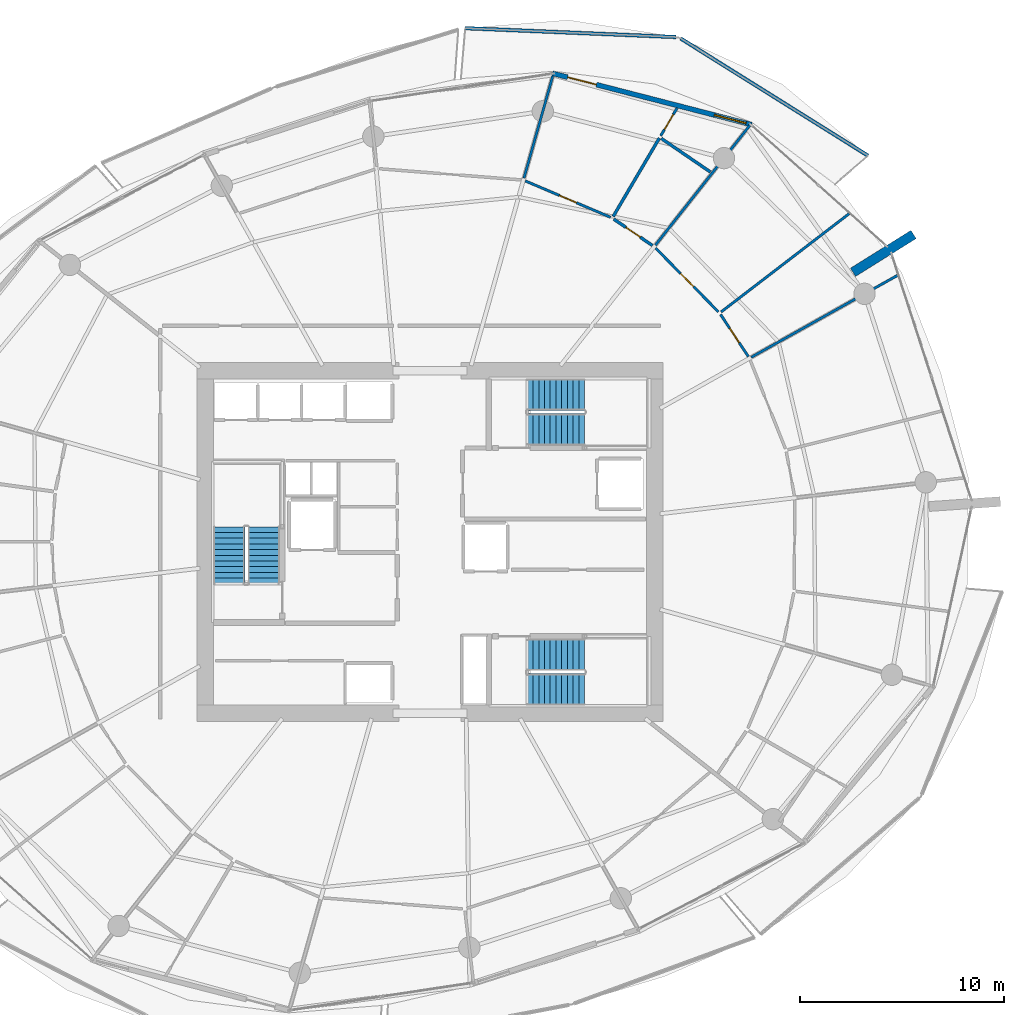
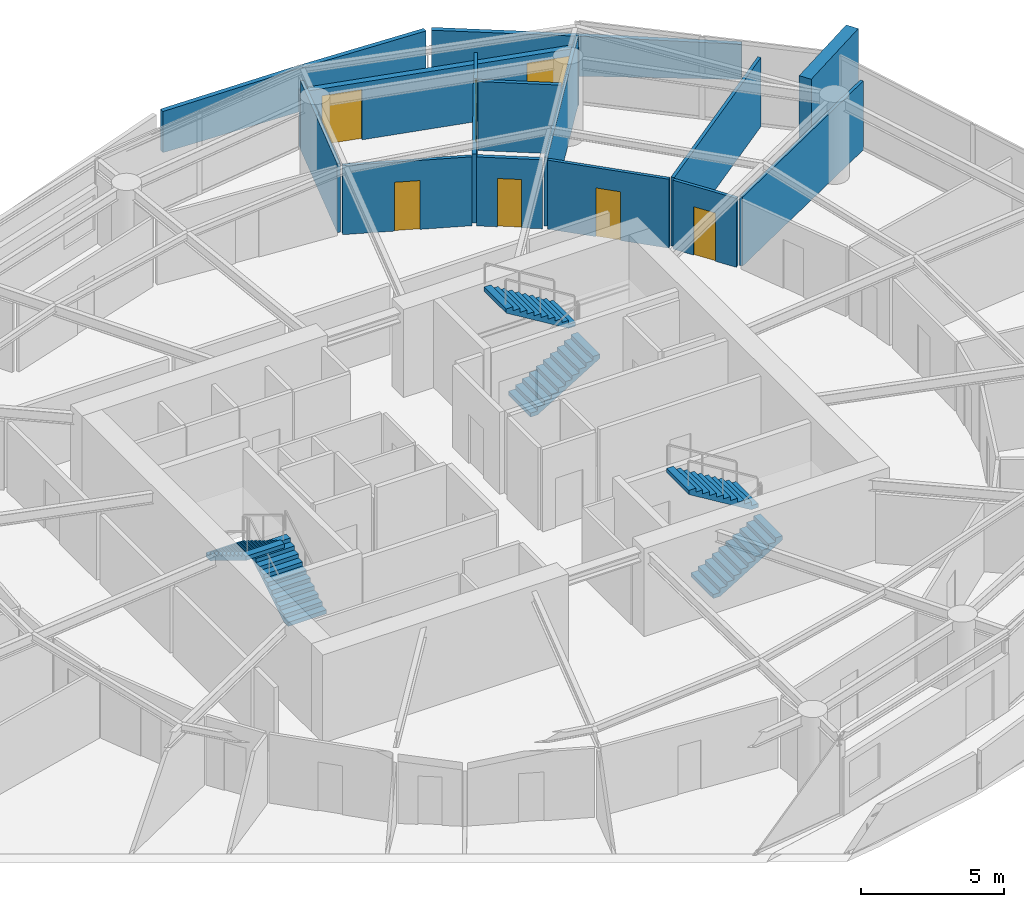
# One storey, part 15 of 20: 15 walls, 6 doors, 6 stair flights, 1 window, 7 openings, 3 elements without a shape of their own.
"""IFC4 building model written with IfcOpenShell, lengths in metres."""

from ifc_helpers import new_model, si_unit, direction, frame, frame_2d, origin, place, context, subcontext, project, spatial, polyline, rectangle, outline, extrude, material, layer, layer_set, type_object, element, fill, aggregate, save


model = new_model("IFC4")

# Units and contexts
model_context = context("Model", 3, precision=1e-05, world=origin(), true_north=direction((0.0, 1.0)))
body_context = subcontext(model_context, "Body", "Model", "MODEL_VIEW")
ifc_project = project(units=[si_unit("LENGTHUNIT", "METRE"), si_unit("AREAUNIT", "SQUARE_METRE"), si_unit("VOLUMEUNIT", "CUBIC_METRE"), si_unit("PLANEANGLEUNIT", "RADIAN"), si_unit("MASSUNIT", "GRAM", prefix="KILO")], contexts=[model_context])

# Site, building, storey
site_placement = place(None, origin())
site = spatial("IfcSite", under=ifc_project, at=site_placement, CompositionType="ELEMENT")
building_placement = place(site_placement, origin())
building = spatial("IfcBuilding", under=site, at=building_placement, Name="Kazma Halo Residences", CompositionType="ELEMENT")
storey_placement = place(building_placement, frame((0.0, 0.0, 131.550048828125)))
storey = spatial("IfcBuildingStorey", under=building, at=storey_placement, Name="L32", CompositionType="ELEMENT", Elevation=131.550048828125)

# Walls
ifc_material_1 = material(Name="White Concrete C50/60 Balustrade", Category="concrete")
ifc_layer_1 = layer(ifc_material_1, 0.179931640625)
ifc_layer_set_1 = layer_set([ifc_layer_1], Name="White Concrete C50/60 Balustrade")
wall_type_1 = type_object("IfcWallType", Name="WL-BAL-WAVE-180", PredefinedType="PARAPET", material=ifc_layer_set_1)
wall_1_placement = place(storey_placement, frame((69.904052734375, 60.9404296875, 0.0), z_axis=(0.0, 0.0, 1.0), x_axis=(-0.847688171498, 0.53049482929, 0.0)))
element("IfcWall", 1, at=wall_1_placement, inside=storey, type_object=wall_type_1, Name="L32 white wave balustrade wall NE.1", PredefinedType="PARAPET", context=body_context, shape_type="SweptSolid", body=[
    extrude(outline(polyline([(0.0, 0.0), (10.84033203125, 0.0), (10.840087890625, 1.83203125), (5.420166015625, 1.696044921875), (0.0, 1.4970703125), (0.0, 0.0)])), frame((0.0, 0.08984375, 0.0), z_axis=(0.0, -1.0, 0.0), x_axis=(1.0, 0.0, 0.0)), (0.0, 0.0, 1.0), 0.179931640625),
])
wall_2_placement = place(storey_placement, frame((60.493408203125, 66.759765625, 0.0), z_axis=(0.0, 0.0, 1.0), x_axis=(-0.999118685157, 0.041974432349, 0.0)))
element("IfcWall", 2, at=wall_2_placement, inside=storey, type_object=wall_type_1, Name="L32 white wave balustrade wall NE.2", PredefinedType="PARAPET", context=body_context, shape_type="SweptSolid", body=[
    extrude(outline(polyline([(0.0, 0.0), (10.36474609375, 0.0), (10.364501953125, 1.755859375), (5.182373046875, 1.85302734375), (0.0, 1.83203125), (0.0, 0.0)])), frame((0.0, 0.08984375, 0.0), z_axis=(0.0, -1.0, 0.0), x_axis=(1.0, 0.0, 0.0)), (0.0, 0.0, 1.0), 0.179931640625),
])
ifc_material_2 = material(Name="Pale Concrete C60/75", Category="concrete")
ifc_layer_2 = layer(ifc_material_2, 0.47998046875)
ifc_layer_set_2 = layer_set([ifc_layer_2], Name="Pale Concrete C60/75")
wall_type_2 = type_object("IfcWallType", Name="WL-BLADE-480", PredefinedType="SOLIDWALL", material=ifc_layer_set_2)
wall_3_placement = place(storey_placement, frame((69.165283203125, 55.2255859375, 0.0), z_axis=(0.0, 0.0, 1.0), x_axis=(0.848053161125, 0.529911158502, 0.0)))
element("IfcWall", 3, at=wall_3_placement, inside=storey, type_object=wall_type_2, Name="L32 pale concrete structural blade fin wall BW-01", PredefinedType="SOLIDWALL", context=body_context, shape_type="SweptSolid", body=[
    extrude(rectangle(XDim=3.5, YDim=0.47998046875, at=frame_2d((1.75, 0.0))), origin(), (0.0, 0.0, 1.0), 3.75),
])

# Wall, openings, door, window
ifc_material_3 = material(Name="Insulated Pale-Metal Composite Wall")
ifc_layer_3 = layer(ifc_material_3, 0.239990234375)
ifc_layer_set_3 = layer_set([ifc_layer_3], Name="Insulated Pale-Metal Composite Wall")
wall_type_3 = type_object("IfcWallType", Name="WL-EXT-HOST-240", PredefinedType="SOLIDWALL", material=ifc_layer_set_3)
wall_4_placement = place(storey_placement, frame((64.192138671875, 62.4658203125, 0.0), z_axis=(0.0, 0.0, 1.0), x_axis=(-0.968379685126, 0.249481032214, 0.0)))
wall_4 = element("IfcWall", 4, at=wall_4_placement, inside=storey, type_object=wall_type_3, Name="L32 exterior terrace-access wall B02", PredefinedType="SOLIDWALL", context=body_context, shape_type="SweptSolid", body=[
    extrude(rectangle(XDim=10.08154296875, YDim=0.239990234375, at=frame_2d((5.040771484375, 0.0))), origin(), (0.0, 0.0, 1.0), 2.449951171875),
])
opening_1_placement = place(wall_4_placement, frame((7.861572265625, 0.0, 0.0)))
opening_1 = element("IfcOpeningElement", 5, at=opening_1_placement, cuts=wall_4, Name="Opening DTR-1600", PredefinedType="OPENING", context=body_context, shape_type="SweptSolid", body=[
    extrude(rectangle(XDim=1.449951171875, YDim=2.14990234375, at=frame_2d((0.72509765625, 1.074951171875))), frame((0.0, 0.1298828125, 0.0), z_axis=(0.0, -1.0, 0.0), x_axis=(1.0, 0.0, 0.0)), (0.0, 0.0, 1.0), 0.260009765625),
])
opening_2_placement = place(wall_4_placement, frame((0.280029296875, 0.0, 0.64990234375)))
opening_2 = element("IfcOpeningElement", 6, at=opening_2_placement, cuts=wall_4, Name="Opening W-1800", PredefinedType="OPENING", context=body_context, shape_type="SweptSolid", body=[
    extrude(rectangle(XDim=1.60009765625, YDim=1.5, at=frame_2d((0.800048828125, 0.75))), frame((0.0, 0.1298828125, 0.0), z_axis=(0.0, -1.0, 0.0), x_axis=(1.0, 0.0, 0.0)), (0.0, 0.0, 1.0), 0.260009765625),
])
ifc_material_4 = material(Name="Aluminium AW-6063 T6 Double-Glazed Terrace Door", Category="aluminium")
door_type_1 = type_object("IfcDoorType", Name="DR-EXT-TERR-1600", OperationType="NOTDEFINED", PredefinedType="DOOR", material=ifc_material_4)
door_1_placement = place(opening_1_placement, origin())
door_1 = element("IfcDoor", 7, at=door_1_placement, inside=storey, type_object=door_type_1, Name="L32 B02 balcony terrace door", OperationType="DOUBLE_DOOR_SLIDING", OverallHeight=2.14990234375, OverallWidth=1.449951171875, PredefinedType="DOOR", context=body_context, shape_type="SweptSolid", body=[
    extrude(rectangle(XDim=1.449951171875, YDim=2.14990234375, at=frame_2d((0.72509765625, 1.074951171875))), frame((0.0, 0.02490234375, 0.0), z_axis=(0.0, -1.0, 0.0), x_axis=(1.0, 0.0, 0.0)), (0.0, 0.0, 1.0), 0.050048828125),
])
fill(opening_1, door_1)
ifc_material_5 = material(Name="Clear Triple-Silver Low-E Glass in Aluminium AW-6063 T6 Frame", Category="aluminium")
window_type = type_object("IfcWindowType", Name="WIN-RES-1800", PartitioningType="DOUBLE_PANEL_VERTICAL", PredefinedType="WINDOW", material=ifc_material_5)
window_placement = place(opening_2_placement, origin())
window = element("IfcWindow", 8, at=window_placement, inside=storey, type_object=window_type, Name="L32 B02 apartment window", OverallHeight=1.5, OverallWidth=1.60009765625, PartitioningType="SINGLE_PANEL", PredefinedType="WINDOW", context=body_context, shape_type="SweptSolid", body=[
    extrude(rectangle(XDim=1.60009765625, YDim=1.5, at=frame_2d((0.800048828125, 0.75))), frame((0.0, 0.030029296875, 0.0), z_axis=(0.0, -1.0, 0.0), x_axis=(1.0, 0.0, 0.0)), (0.0, 0.0, 1.0), 0.06005859375),
])
fill(opening_2, window)

# Walls
ifc_material_6 = material(Name="Gypsum Plasterboard Partition")
ifc_layer_4 = layer(ifc_material_6, 0.125)
ifc_layer_set_4 = layer_set([ifc_layer_4], Name="Gypsum Plasterboard Partition")
wall_type_4 = type_object("IfcWallType", Name="WL-PART-125", PredefinedType="PARTITIONING", material=ifc_layer_set_4)
wall_5_placement = place(storey_placement, frame((64.17529296875, 51.05859375, 0.0), z_axis=(0.0, 0.0, 1.0), x_axis=(0.872491881101, 0.488628608877, 0.0)))
element("IfcWall", 9, at=wall_5_placement, inside=storey, type_object=wall_type_4, Name="L32 Apartment 2 radial partition 0", PredefinedType="PARTITIONING", context=body_context, shape_type="SweptSolid", body=[
    extrude(rectangle(XDim=8.2470703125, YDim=0.125, at=frame_2d((4.12353515625, 0.0))), origin(), (0.0, 0.0, 1.0), 2.93994140625),
])
wall_6_placement = place(storey_placement, frame((62.698486328125, 53.28173828125, 0.0), z_axis=(0.0, 0.0, 1.0), x_axis=(0.793282323501, 0.608853968715, 0.0)))
element("IfcWall", 10, at=wall_6_placement, inside=storey, type_object=wall_type_4, Name="L32 Apartment 2 mid-bay wall 0", PredefinedType="PARTITIONING", context=body_context, shape_type="SweptSolid", body=[
    extrude(rectangle(XDim=7.92138671875, YDim=0.125, at=frame_2d((3.960693359375, 0.0))), origin(), (0.0, 0.0, 1.0), 2.93994140625),
])

# Wall, opening, door
wall_7_placement = place(storey_placement, frame((64.032958984375, 51.09326171875, 0.0), z_axis=(0.0, 0.0, 1.0), x_axis=(-0.550185204933, 0.835042657756, 0.0)))
wall_7 = element("IfcWall", 11, at=wall_7_placement, inside=storey, type_object=wall_type_4, Name="L32 Apartment 2 North Dressing Wardrobe hall wall", PredefinedType="PARTITIONING", context=body_context, shape_type="SweptSolid", body=[
    extrude(rectangle(XDim=2.47509765625, YDim=0.125, at=frame_2d((1.237548828125, 0.0))), origin(), (0.0, 0.0, 1.0), 2.93994140625),
])
opening_3_placement = place(wall_7_placement, frame((0.8125, 0.0, 0.0)))
opening_3 = element("IfcOpeningElement", 12, at=opening_3_placement, cuts=wall_7, Name="Opening DB-900", PredefinedType="OPENING", context=body_context, shape_type="SweptSolid", body=[
    extrude(rectangle(XDim=0.85009765625, YDim=2.06005859375, at=frame_2d((0.425048828125, 1.030029296875))), frame((0.0, 0.072509765625, 0.0), z_axis=(0.0, -1.0, 0.0), x_axis=(1.0, 0.0, 0.0)), (0.0, 0.0, 1.0), 0.14501953125),
])
ifc_material_7 = material(Name="Moisture-Sealed Timber Leaf", Category="wood")
door_type_2 = type_object("IfcDoorType", Name="DR-BTH-900", OperationType="NOTDEFINED", PredefinedType="DOOR", material=ifc_material_7)
door_2_placement = place(opening_3_placement, origin())
door_2 = element("IfcDoor", 13, at=door_2_placement, inside=storey, type_object=door_type_2, Name="L32 Apartment 2 North Dressing Wardrobe door", OperationType="SINGLE_SWING_LEFT", OverallHeight=2.06005859375, OverallWidth=0.85009765625, PredefinedType="DOOR", context=body_context, shape_type="SweptSolid", body=[
    extrude(rectangle(XDim=0.85009765625, YDim=2.06005859375, at=frame_2d((0.425048828125, 1.030029296875))), frame((0.0, 0.02490234375, 0.0), z_axis=(0.0, -1.0, 0.0), x_axis=(1.0, 0.0, 0.0)), (0.0, 0.0, 1.0), 0.050048828125),
])
fill(opening_3, door_2)

wall_8_placement = place(storey_placement, frame((62.571044921875, 53.28369140625, 0.0), z_axis=(0.0, 0.0, 1.0), x_axis=(-0.702505636164, 0.711678179487, 0.0)))
wall_8 = element("IfcWall", 14, at=wall_8_placement, inside=storey, type_object=wall_type_4, Name="L32 Apartment 2 South Master Bedroom hall wall", PredefinedType="PARTITIONING", context=body_context, shape_type="SweptSolid", body=[
    extrude(rectangle(XDim=4.3916015625, YDim=0.125, at=frame_2d((2.19580078125, 0.0))), origin(), (0.0, 0.0, 1.0), 2.93994140625),
])
opening_4_placement = place(wall_8_placement, frame((1.745849609375, 0.0, 0.0)))
opening_4 = element("IfcOpeningElement", 15, at=opening_4_placement, cuts=wall_8, Name="Opening DI-950", PredefinedType="OPENING", context=body_context, shape_type="SweptSolid", body=[
    extrude(rectangle(XDim=0.89990234375, YDim=2.080078125, at=frame_2d((0.449951171875, 1.0400390625))), frame((0.0, 0.072509765625, 0.0), z_axis=(0.0, -1.0, 0.0), x_axis=(1.0, 0.0, 0.0)), (0.0, 0.0, 1.0), 0.14501953125),
])
ifc_material_8 = material(Name="Timber Veneer Flush Leaf", Category="wood")
door_type_3 = type_object("IfcDoorType", Name="DR-INT-950", OperationType="NOTDEFINED", PredefinedType="DOOR", material=ifc_material_8)
door_3_placement = place(opening_4_placement, origin())
door_3 = element("IfcDoor", 16, at=door_3_placement, inside=storey, type_object=door_type_3, Name="L32 Apartment 2 South Master Bedroom door", OperationType="SINGLE_SWING_RIGHT", OverallHeight=2.080078125, OverallWidth=0.89990234375, PredefinedType="DOOR", context=body_context, shape_type="SweptSolid", body=[
    extrude(rectangle(XDim=0.89990234375, YDim=2.080078125, at=frame_2d((0.449951171875, 1.0400390625))), frame((0.0, 0.02490234375, 0.0), z_axis=(0.0, -1.0, 0.0), x_axis=(1.0, 0.0, 0.0)), (0.0, 0.0, 1.0), 0.050048828125),
])
fill(opening_4, door_3)

# Wall
wall_9_placement = place(storey_placement, frame((59.477294921875, 56.55908203125, 0.0), z_axis=(0.0, 0.0, 1.0), x_axis=(0.619110986016, 0.785303499925, 0.0)))
element("IfcWall", 17, at=wall_9_placement, inside=storey, type_object=wall_type_4, Name="L32 Apartment 2 radial partition 1", PredefinedType="PARTITIONING", context=body_context, shape_type="SweptSolid", body=[
    extrude(rectangle(XDim=7.5126953125, YDim=0.125, at=frame_2d((3.75634765625, 0.0))), origin(), (0.0, 0.0, 1.0), 2.93994140625),
])

# Wall, opening, door
wall_10_placement = place(storey_placement, frame((59.7373046875, 61.91796875, 0.0), z_axis=(0.0, 0.0, 1.0), x_axis=(0.507633052519, 0.86157337702, 0.0)))
wall_10 = element("IfcWall", 18, at=wall_10_placement, inside=storey, type_object=wall_type_4, Name="L32 Apartment 2 Outer Walk-In Wardrobe partition wall", PredefinedType="PARTITIONING", context=body_context, shape_type="SweptSolid", body=[
    extrude(rectangle(XDim=1.583740234375, YDim=0.125, at=frame_2d((0.7919921875, 0.0))), origin(), (0.0, 0.0, 1.0), 2.93994140625),
])
opening_5_placement = place(wall_10_placement, frame((0.366943359375, 0.0, 0.0)))
opening_5 = element("IfcOpeningElement", 19, at=opening_5_placement, cuts=wall_10, Name="Opening DB-900", PredefinedType="OPENING", context=body_context, shape_type="SweptSolid", body=[
    extrude(rectangle(XDim=0.85009765625, YDim=2.06005859375, at=frame_2d((0.425048828125, 1.030029296875))), frame((0.0, 0.072509765625, 0.0), z_axis=(0.0, -1.0, 0.0), x_axis=(1.0, 0.0, 0.0)), (0.0, 0.0, 1.0), 0.14501953125),
])
door_4_placement = place(opening_5_placement, origin())
door_4 = element("IfcDoor", 20, at=door_4_placement, inside=storey, type_object=door_type_2, Name="L32 Apartment 2 Outer Walk-In Wardrobe door", OperationType="SINGLE_SWING_LEFT", OverallHeight=2.06005859375, OverallWidth=0.85009765625, PredefinedType="DOOR", context=body_context, shape_type="SweptSolid", body=[
    extrude(rectangle(XDim=0.85009765625, YDim=2.06005859375, at=frame_2d((0.425048828125, 1.030029296875))), frame((0.0, 0.02490234375, 0.0), z_axis=(0.0, -1.0, 0.0), x_axis=(1.0, 0.0, 0.0)), (0.0, 0.0, 1.0), 0.050048828125),
])
fill(opening_5, door_4)

wall_11_placement = place(storey_placement, frame((57.278564453125, 57.92138671875, 0.0), z_axis=(0.0, 0.0, 1.0), x_axis=(-0.919613735451, 0.392823850561, 0.0)))
wall_11 = element("IfcWall", 21, at=wall_11_placement, inside=storey, type_object=wall_type_4, Name="L32 Apartment 2 Corner Master Bedroom hall wall", PredefinedType="PARTITIONING", context=body_context, shape_type="SweptSolid", body=[
    extrude(rectangle(XDim=4.546875, YDim=0.125, at=frame_2d((2.2734375, 0.0))), origin(), (0.0, 0.0, 1.0), 2.93994140625),
])
opening_6_placement = place(wall_11_placement, frame((1.823486328125, 0.0, 0.0)))
opening_6 = element("IfcOpeningElement", 22, at=opening_6_placement, cuts=wall_11, Name="Opening DI-950", PredefinedType="OPENING", context=body_context, shape_type="SweptSolid", body=[
    extrude(rectangle(XDim=0.89990234375, YDim=2.080078125, at=frame_2d((0.449951171875, 1.0400390625))), frame((0.0, 0.072509765625, 0.0), z_axis=(0.0, -1.0, 0.0), x_axis=(1.0, 0.0, 0.0)), (0.0, 0.0, 1.0), 0.14501953125),
])
door_5_placement = place(opening_6_placement, origin())
door_5 = element("IfcDoor", 23, at=door_5_placement, inside=storey, type_object=door_type_3, Name="L32 Apartment 2 Corner Master Bedroom door", OperationType="SINGLE_SWING_RIGHT", OverallHeight=2.080078125, OverallWidth=0.89990234375, PredefinedType="DOOR", context=body_context, shape_type="SweptSolid", body=[
    extrude(rectangle(XDim=0.89990234375, YDim=2.080078125, at=frame_2d((0.449951171875, 1.0400390625))), frame((0.0, 0.02490234375, 0.0), z_axis=(0.0, -1.0, 0.0), x_axis=(1.0, 0.0, 0.0)), (0.0, 0.0, 1.0), 0.050048828125),
])
fill(opening_6, door_5)

# Wall
wall_12_placement = place(storey_placement, frame((53.0322265625, 59.843017578125, 0.0), z_axis=(0.0, 0.0, 1.0), x_axis=(0.271445669276, 0.962453764412, 0.0)))
element("IfcWall", 24, at=wall_12_placement, inside=storey, type_object=wall_type_4, Name="L32 Apartment 2 radial partition 2", PredefinedType="PARTITIONING", context=body_context, shape_type="SweptSolid", body=[
    extrude(rectangle(XDim=5.200439453125, YDim=0.125, at=frame_2d((2.60009765625, 0.0))), origin(), (0.0, 0.0, 1.0), 2.93994140625),
])

# Wall, opening, door
ifc_material_9 = material(Name="Moisture-Resistant Gypsum")
ifc_layer_5 = layer(ifc_material_9, 0.14990234375)
ifc_layer_set_5 = layer_set([ifc_layer_5], Name="Moisture-Resistant Gypsum")
wall_type_5 = type_object("IfcWallType", Name="WL-WET-150", PredefinedType="PARTITIONING", material=ifc_layer_set_5)
wall_13_placement = place(storey_placement, frame((59.3330078125, 56.537109375, 0.0), z_axis=(0.0, 0.0, 1.0), x_axis=(-0.825341121682, 0.564634424084, 0.0)))
wall_13 = element("IfcWall", 25, at=wall_13_placement, inside=storey, type_object=wall_type_5, Name="L32 Apartment 2 Inner En-Suite Bathroom hall wall", PredefinedType="PARTITIONING", context=body_context, shape_type="SweptSolid", body=[
    extrude(rectangle(XDim=2.299072265625, YDim=0.14990234375, at=frame_2d((1.1494140625, 0.0))), origin(), (0.0, 0.0, 1.0), 2.93994140625),
])
opening_7_placement = place(wall_13_placement, frame((0.724609375, 0.0, 0.0)))
opening_7 = element("IfcOpeningElement", 26, at=opening_7_placement, cuts=wall_13, Name="Opening DB-900", PredefinedType="OPENING", context=body_context, shape_type="SweptSolid", body=[
    extrude(rectangle(XDim=0.85009765625, YDim=2.06005859375, at=frame_2d((0.425048828125, 1.030029296875))), frame((0.0, 0.0849609375, 0.0), z_axis=(0.0, -1.0, 0.0), x_axis=(1.0, 0.0, 0.0)), (0.0, 0.0, 1.0), 0.169921875),
])
door_6_placement = place(opening_7_placement, origin())
door_6 = element("IfcDoor", 27, at=door_6_placement, inside=storey, type_object=door_type_2, Name="L32 Apartment 2 Inner En-Suite Bathroom door", OperationType="SINGLE_SWING_RIGHT", OverallHeight=2.06005859375, OverallWidth=0.85009765625, PredefinedType="DOOR", context=body_context, shape_type="SweptSolid", body=[
    extrude(rectangle(XDim=0.85009765625, YDim=2.06005859375, at=frame_2d((0.425048828125, 1.030029296875))), frame((0.0, 0.02490234375, 0.0), z_axis=(0.0, -1.0, 0.0), x_axis=(1.0, 0.0, 0.0)), (0.0, 0.0, 1.0), 0.050048828125),
])
fill(opening_7, door_6)

# Walls
wall_14_placement = place(storey_placement, frame((62.174560546875, 60.1416015625, 0.0), z_axis=(0.0, 0.0, 1.0), x_axis=(-0.825323675893, 0.564659924212, 0.0)))
element("IfcWall", 28, at=wall_14_placement, inside=storey, type_object=wall_type_5, Name="L32 Apartment 2 Inner En-Suite Bathroom back wall", PredefinedType="PARTITIONING", context=body_context, shape_type="SweptSolid", body=[
    extrude(rectangle(XDim=2.91845703125, YDim=0.14990234375, at=frame_2d((1.459228515625, 0.0))), origin(), (0.0, 0.0, 1.0), 2.93994140625),
])
wall_15_placement = place(storey_placement, frame((57.406982421875, 57.96337890625, 0.0), z_axis=(0.0, 0.0, 1.0), x_axis=(0.507701739566, 0.8615329034, 0.0)))
element("IfcWall", 29, at=wall_15_placement, inside=storey, type_object=wall_type_5, Name="L32 Apartment 2 Inner En-Suite Bathroom side wall", PredefinedType="PARTITIONING", context=body_context, shape_type="SweptSolid", body=[
    extrude(rectangle(XDim=4.460205078125, YDim=0.14990234375, at=frame_2d((2.22998046875, 0.0))), origin(), (0.0, 0.0, 1.0), 2.93994140625),
])

# Stair, stair flights
ifc_material_10 = material(Name="Concrete C50/60", Category="concrete")
stair_type = type_object("IfcStairType", Name="STR-RES1", PredefinedType="HALF_TURN_STAIR", material=ifc_material_10)
stair_1_placement = place(storey_placement, origin())
stair_1 = element("IfcStair", 30, at=stair_1_placement, inside=storey, type_object=stair_type, Name="L32 Core exit stair ST-01", PredefinedType="HALF_TURN_STAIR")
stair_flight_type = type_object("IfcStairFlightType", Name="STR-RES1-FLT", PredefinedType="STRAIGHT", material=ifc_material_10)
stair_flight_1_placement = place(storey_placement, frame((40.27490234375, 39.949951171875, 0.0), z_axis=(0.0, 0.0, 1.0), x_axis=(0.0, 1.0, 0.0)))
stair_flight_1 = element("IfcStairFlight", 31, at=stair_flight_1_placement, type_object=stair_flight_type, Name="ST-01 flight 1", NumberOfRisers=11, NumberOfTreads=10, PredefinedType="STRAIGHT", RiserHeight=0.170454545, TreadLength=0.28, context=body_context, shape_type="SweptSolid", body=[
    extrude(outline(polyline([(0.0, 0.0), (0.0, 0.17041015625), (0.280029296875, 0.17041015625), (0.280029296875, 0.3408203125), (0.56005859375, 0.3408203125), (0.56005859375, 0.511474609375), (0.840087890625, 0.511474609375), (0.840087890625, 0.681884765625), (1.1201171875, 0.681884765625), (1.1201171875, 0.852294921875), (1.39990234375, 0.852294921875), (1.39990234375, 1.022705078125), (1.679931640625, 1.022705078125), (1.679931640625, 1.193115234375), (1.9599609375, 1.193115234375), (1.9599609375, 1.363525390625), (2.239990234375, 1.363525390625), (2.239990234375, 1.5341796875), (2.52001953125, 1.5341796875), (2.52001953125, 1.70458984375), (2.800048828125, 1.70458984375), (2.800048828125, 1.875), (2.800048828125, 1.529052734375), (0.288330078125, 0.0), (0.0, 0.0)])), frame((0.0, 0.77490234375, 0.0), z_axis=(0.0, -1.0, 0.0), x_axis=(1.0, 0.0, 0.0)), (0.0, 0.0, 1.0), 1.550048828125),
])
stair_flight_2_placement = place(storey_placement, frame((38.574951171875, 42.75, 1.875), z_axis=(0.0, 0.0, 1.0), x_axis=(0.0, -1.0, 0.0)))
stair_flight_2 = element("IfcStairFlight", 32, at=stair_flight_2_placement, type_object=stair_flight_type, Name="ST-01 flight 2", NumberOfRisers=11, NumberOfTreads=10, PredefinedType="STRAIGHT", RiserHeight=0.170454545, TreadLength=0.28, context=body_context, shape_type="SweptSolid", body=[
    extrude(outline(polyline([(0.0, 0.0), (0.0, 0.17041015625), (0.280029296875, 0.17041015625), (0.280029296875, 0.3408203125), (0.56005859375, 0.3408203125), (0.56005859375, 0.511474609375), (0.840087890625, 0.511474609375), (0.840087890625, 0.681884765625), (1.1201171875, 0.681884765625), (1.1201171875, 0.852294921875), (1.39990234375, 0.852294921875), (1.39990234375, 1.022705078125), (1.679931640625, 1.022705078125), (1.679931640625, 1.193115234375), (1.9599609375, 1.193115234375), (1.9599609375, 1.363525390625), (2.239990234375, 1.363525390625), (2.239990234375, 1.5341796875), (2.52001953125, 1.5341796875), (2.52001953125, 1.70458984375), (2.800048828125, 1.70458984375), (2.800048828125, 1.875), (2.800048828125, 1.529052734375), (0.288330078125, 0.0), (0.0, 0.0)])), frame((0.0, 0.77490234375, 0.0), z_axis=(0.0, -1.0, 0.0), x_axis=(1.0, 0.0, 0.0)), (0.0, 0.0, 1.0), 1.550048828125),
])
aggregate(stair_1, [stair_flight_1, stair_flight_2])

stair_2_placement = place(storey_placement, origin())
stair_2 = element("IfcStair", 33, at=stair_2_placement, inside=storey, type_object=stair_type, Name="L32 Core exit stair ST-02", PredefinedType="HALF_TURN_STAIR")
stair_flight_3_placement = place(storey_placement, frame((53.199951171875, 47.52490234375, 0.0), z_axis=(0.0, 0.0, 1.0), x_axis=(1.0, 0.0, 0.0)))
stair_flight_3 = element("IfcStairFlight", 34, at=stair_flight_3_placement, type_object=stair_flight_type, Name="ST-02 flight 1", NumberOfRisers=11, NumberOfTreads=10, PredefinedType="STRAIGHT", RiserHeight=0.170454545, TreadLength=0.28, context=body_context, shape_type="SweptSolid", body=[
    extrude(outline(polyline([(0.0, 0.0), (0.0, 0.17041015625), (0.280029296875, 0.17041015625), (0.280029296875, 0.3408203125), (0.56005859375, 0.3408203125), (0.56005859375, 0.511474609375), (0.840087890625, 0.511474609375), (0.840087890625, 0.681884765625), (1.1201171875, 0.681884765625), (1.1201171875, 0.852294921875), (1.39990234375, 0.852294921875), (1.39990234375, 1.022705078125), (1.679931640625, 1.022705078125), (1.679931640625, 1.193115234375), (1.9599609375, 1.193115234375), (1.9599609375, 1.363525390625), (2.239990234375, 1.363525390625), (2.239990234375, 1.5341796875), (2.52001953125, 1.5341796875), (2.52001953125, 1.70458984375), (2.800048828125, 1.70458984375), (2.800048828125, 1.875), (2.800048828125, 1.529052734375), (0.288330078125, 0.0), (0.0, 0.0)])), frame((0.0, 0.77490234375, 0.0), z_axis=(0.0, -1.0, 0.0), x_axis=(1.0, 0.0, 0.0)), (0.0, 0.0, 1.0), 1.550048828125),
])
stair_flight_4_placement = place(storey_placement, frame((56.0, 49.22509765625, 1.875), z_axis=(0.0, 0.0, 1.0), x_axis=(-1.0, 0.0, 0.0)))
stair_flight_4 = element("IfcStairFlight", 35, at=stair_flight_4_placement, type_object=stair_flight_type, Name="ST-02 flight 2", NumberOfRisers=11, NumberOfTreads=10, PredefinedType="STRAIGHT", RiserHeight=0.170454545, TreadLength=0.28, context=body_context, shape_type="SweptSolid", body=[
    extrude(outline(polyline([(0.0, 0.0), (0.0, 0.17041015625), (0.280029296875, 0.17041015625), (0.280029296875, 0.3408203125), (0.56005859375, 0.3408203125), (0.56005859375, 0.511474609375), (0.840087890625, 0.511474609375), (0.840087890625, 0.681884765625), (1.1201171875, 0.681884765625), (1.1201171875, 0.852294921875), (1.39990234375, 0.852294921875), (1.39990234375, 1.022705078125), (1.679931640625, 1.022705078125), (1.679931640625, 1.193115234375), (1.9599609375, 1.193115234375), (1.9599609375, 1.363525390625), (2.239990234375, 1.363525390625), (2.239990234375, 1.5341796875), (2.52001953125, 1.5341796875), (2.52001953125, 1.70458984375), (2.800048828125, 1.70458984375), (2.800048828125, 1.875), (2.800048828125, 1.529052734375), (0.288330078125, 0.0), (0.0, 0.0)])), frame((0.0, 0.77490234375, 0.0), z_axis=(0.0, -1.0, 0.0), x_axis=(1.0, 0.0, 0.0)), (0.0, 0.0, 1.0), 1.550048828125),
])
aggregate(stair_2, [stair_flight_3, stair_flight_4])

stair_3_placement = place(storey_placement, origin())
stair_3 = element("IfcStair", 36, at=stair_3_placement, inside=storey, type_object=stair_type, Name="L32 Core exit stair ST-03", PredefinedType="HALF_TURN_STAIR")
stair_flight_5_placement = place(storey_placement, frame((53.199951171875, 34.77490234375, 0.0), z_axis=(0.0, 0.0, 1.0), x_axis=(1.0, 0.0, 0.0)))
stair_flight_5 = element("IfcStairFlight", 37, at=stair_flight_5_placement, type_object=stair_flight_type, Name="ST-03 flight 1", NumberOfRisers=11, NumberOfTreads=10, PredefinedType="STRAIGHT", RiserHeight=0.170454545, TreadLength=0.28, context=body_context, shape_type="SweptSolid", body=[
    extrude(outline(polyline([(0.0, 0.0), (0.0, 0.17041015625), (0.280029296875, 0.17041015625), (0.280029296875, 0.3408203125), (0.56005859375, 0.3408203125), (0.56005859375, 0.511474609375), (0.840087890625, 0.511474609375), (0.840087890625, 0.681884765625), (1.1201171875, 0.681884765625), (1.1201171875, 0.852294921875), (1.39990234375, 0.852294921875), (1.39990234375, 1.022705078125), (1.679931640625, 1.022705078125), (1.679931640625, 1.193115234375), (1.9599609375, 1.193115234375), (1.9599609375, 1.363525390625), (2.239990234375, 1.363525390625), (2.239990234375, 1.5341796875), (2.52001953125, 1.5341796875), (2.52001953125, 1.70458984375), (2.800048828125, 1.70458984375), (2.800048828125, 1.875), (2.800048828125, 1.529052734375), (0.288330078125, 0.0), (0.0, 0.0)])), frame((0.0, 0.77490234375, 0.0), z_axis=(0.0, -1.0, 0.0), x_axis=(1.0, 0.0, 0.0)), (0.0, 0.0, 1.0), 1.550048828125),
])
stair_flight_6_placement = place(storey_placement, frame((56.0, 36.47509765625, 1.875), z_axis=(0.0, 0.0, 1.0), x_axis=(-1.0, 0.0, 0.0)))
stair_flight_6 = element("IfcStairFlight", 38, at=stair_flight_6_placement, type_object=stair_flight_type, Name="ST-03 flight 2", NumberOfRisers=11, NumberOfTreads=10, PredefinedType="STRAIGHT", RiserHeight=0.170454545, TreadLength=0.28, context=body_context, shape_type="SweptSolid", body=[
    extrude(outline(polyline([(0.0, 0.0), (0.0, 0.17041015625), (0.280029296875, 0.17041015625), (0.280029296875, 0.3408203125), (0.56005859375, 0.3408203125), (0.56005859375, 0.511474609375), (0.840087890625, 0.511474609375), (0.840087890625, 0.681884765625), (1.1201171875, 0.681884765625), (1.1201171875, 0.852294921875), (1.39990234375, 0.852294921875), (1.39990234375, 1.022705078125), (1.679931640625, 1.022705078125), (1.679931640625, 1.193115234375), (1.9599609375, 1.193115234375), (1.9599609375, 1.363525390625), (2.239990234375, 1.363525390625), (2.239990234375, 1.5341796875), (2.52001953125, 1.5341796875), (2.52001953125, 1.70458984375), (2.800048828125, 1.70458984375), (2.800048828125, 1.875), (2.800048828125, 1.529052734375), (0.288330078125, 0.0), (0.0, 0.0)])), frame((0.0, 0.77490234375, 0.0), z_axis=(0.0, -1.0, 0.0), x_axis=(1.0, 0.0, 0.0)), (0.0, 0.0, 1.0), 1.550048828125),
])
aggregate(stair_3, [stair_flight_5, stair_flight_6])

save(model, "model.ifc")
